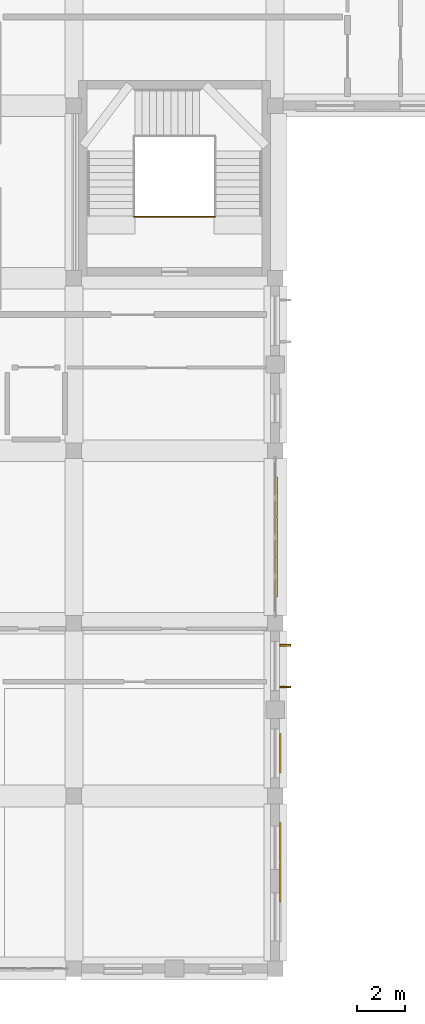
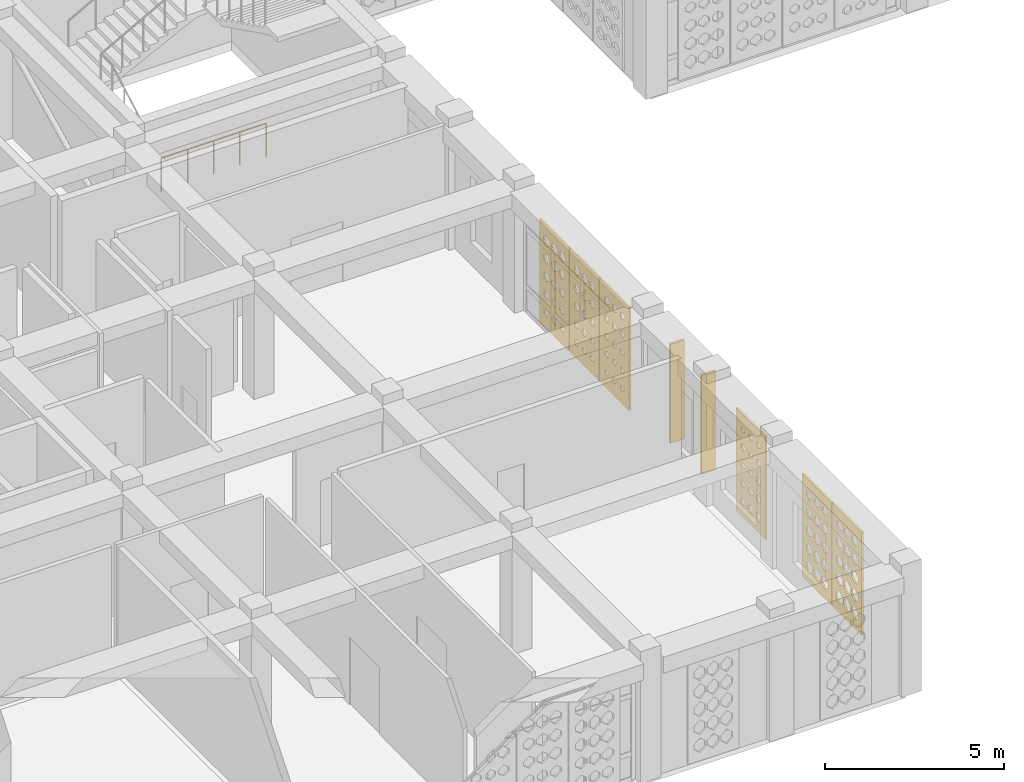
# One storey, part 57 of 79: 6 coverings, 2 shading devices, 1 railing.
"""IFC4 building model written with IfcOpenShell, lengths in metres."""

from ifc_helpers import new_model, si_unit, derived_unit, direction, frame, origin, origin_2d, place, context, subcontext, project, spatial, polyline, rectangle, circle, outline, extrude, material, layer, layer_set, type_object, element, save


model = new_model("IFC4")

# Units and contexts
model_context = context("Model", 3, precision=1e-05, world=origin(), true_north=direction((0.0, 1.0)))
body_context = subcontext(model_context, "Body", "Model", "MODEL_VIEW")
ifc_project = project(units=[si_unit("LENGTHUNIT", "METRE"), si_unit("AREAUNIT", "SQUARE_METRE"), si_unit("VOLUMEUNIT", "CUBIC_METRE"), si_unit("PLANEANGLEUNIT", "RADIAN"), si_unit("MASSUNIT", "GRAM", prefix="KILO"), derived_unit("THERMALTRANSMITTANCEUNIT", [(si_unit("POWERUNIT", "WATT"), 1), (si_unit("LENGTHUNIT", "METRE"), -2), (si_unit("THERMODYNAMICTEMPERATUREUNIT", "KELVIN"), -1)])], contexts=[model_context])

# Site, building, storey
site_placement = place(None, origin())
site = spatial("IfcSite", under=ifc_project, at=site_placement, CompositionType="ELEMENT")
building_placement = place(site_placement, origin())
building = spatial("IfcBuilding", under=site, at=building_placement, Name="Veybourne Emporium", CompositionType="ELEMENT")
storey_placement = place(building_placement, frame((0.0, 0.0, 18.89990234375)))
storey = spatial("IfcBuildingStorey", under=building, at=storey_placement, Name="L04", CompositionType="ELEMENT", Elevation=18.89990234375)

# Railing
ifc_material_1 = material(Name="Brushed Stainless Steel", Category="steel")
railing_type = type_object("IfcRailingType", Name="Guard_GR-01", PredefinedType="GUARDRAIL", material=ifc_material_1)
railing_placement = place(storey_placement, frame((44.510009765625, 31.360107421875, 0.0)))
element("IfcRailing", 1, at=railing_placement, inside=storey, type_object=railing_type, Name="L04 ST-05 stair guard 4", PredefinedType="GUARDRAIL", context=body_context, shape_type="SweptSolid", body=[
    extrude(circle(Radius=0.02392578125, at=origin_2d()), frame((0.0, 0.0, 1.1259765625), z_axis=(1.0, 0.0, 0.0), x_axis=(0.0, 1.0, 0.0)), (0.0, 0.0, 1.0), 3.3798828125),
    extrude(circle(Radius=0.02099609375, at=origin_2d()), origin(), (0.0, 0.0, 1.0), 1.101806640625),
    extrude(circle(Radius=0.02099609375, at=origin_2d()), frame((0.844970703125, 0.0, 0.0)), (0.0, 0.0, 1.0), 1.101806640625),
    extrude(circle(Radius=0.02099609375, at=origin_2d()), frame((1.68994140625, 0.0, 0.0)), (0.0, 0.0, 1.0), 1.101806640625),
    extrude(circle(Radius=0.02099609375, at=origin_2d()), frame((2.534912109375, 0.0, 0.0)), (0.0, 0.0, 1.0), 1.101806640625),
    extrude(circle(Radius=0.02099609375, at=origin_2d()), frame((3.3798828125, 0.0, 0.0)), (0.0, 0.0, 1.0), 1.101806640625),
])

# Shading devices
ifc_material_2 = material(Name="Patinated Architectural Bronze", Category="bronze")
shading_device_type = type_object("IfcShadingDeviceType", Name="SolarFin_FIN-02", PredefinedType="USERDEFINED", material=ifc_material_2)
for number, where, z_axis, x_axis, name in (
    (2, (50.81396484375, 13.493896484375, 0.125244140625), (0.0, 0.0, 1.0), (0.0, -1.0, 0.0), "L04 bronze brise-soleil fin FIN-02 (26A.1)"),
    (3, (50.81396484375, 11.7509765625, 0.125244140625), (0.0, 0.0, 1.0), (0.0, -1.0, 0.0), "L04 bronze brise-soleil fin FIN-02 (26A.2)"),
):
    element("IfcShadingDevice", number, at=place(storey_placement, frame(where, z_axis=z_axis, x_axis=x_axis)), inside=storey, type_object=shading_device_type, Name=name, ObjectType="FIN", PredefinedType="USERDEFINED", context=body_context, shape_type="SweptSolid", body=[
        extrude(rectangle(XDim=0.074951171875, YDim=0.449951171875, at=origin_2d()), origin(), (0.0, 0.0, 1.0), 3.3798828125),
    ])

# Coverings
ifc_material_3 = material(Name="Warm-White Perforated Aluminium Screen Alloy", Category="aluminium")
ifc_layer_1 = layer(ifc_material_3, 0.06005859375)
ifc_layer_set_1 = layer_set([ifc_layer_1], Name="Warm-White Perforated Aluminium Screen Alloy")
covering_type_1 = type_object("IfcCoveringType", Name="WaveScreen_SCR-01", PredefinedType="CLADDING", material=ifc_layer_set_1)
covering_1_placement = place(storey_placement, frame((50.494140625, 19.679931640625, 1.815185546875), z_axis=(-1.0, 0.0, 0.0), x_axis=(0.0, -1.0, 0.0)))
element("IfcCovering", 4, at=covering_1_placement, inside=storey, type_object=covering_type_1, Name="L04 wave-perforated aluminium screen SCR-01 (27C.1)", PredefinedType="CLADDING", context=body_context, shape_type="SweptSolid", body=[
    extrude(outline(polyline([(-0.81982421875, -1.7548828125), (0.81982421875, -1.7548828125), (0.81982421875, 1.7548828125), (-0.81982421875, 1.7548828125), (-0.81982421875, -1.7548828125)]), holes=[polyline([(-0.433349609375, -1.087890625), (-0.308837890625, -1.177490234375), (-0.308837890625, -1.2783203125), (-0.433349609375, -1.367919921875), (-0.557861328125, -1.2783203125), (-0.557861328125, -1.177490234375), (-0.433349609375, -1.087890625)]), polyline([(-0.433349609375, -0.46240234375), (-0.29931640625, -0.559326171875), (-0.29931640625, -0.668701171875), (-0.433349609375, -0.765625), (-0.5673828125, -0.668701171875), (-0.5673828125, -0.559326171875), (-0.433349609375, -0.46240234375)]), polyline([(-0.433349609375, 0.16455078125), (-0.288818359375, 0.05908203125), (-0.288818359375, -0.05908203125), (-0.433349609375, -0.16455078125), (-0.577880859375, -0.05908203125), (-0.577880859375, 0.05908203125), (-0.433349609375, 0.16455078125)]), polyline([(-0.433349609375, 0.792236328125), (-0.277587890625, 0.67822265625), (-0.277587890625, 0.5498046875), (-0.433349609375, 0.435791015625), (-0.589111328125, 0.5498046875), (-0.589111328125, 0.67822265625), (-0.433349609375, 0.792236328125)]), polyline([(-0.433349609375, 1.42041015625), (-0.265869140625, 1.29736328125), (-0.265869140625, 1.15869140625), (-0.433349609375, 1.03564453125), (-0.6005859375, 1.15869140625), (-0.6005859375, 1.29736328125), (-0.433349609375, 1.42041015625)]), polyline([(0.0, -1.0927734375), (0.12060546875, -1.17919921875), (0.12060546875, -1.276611328125), (0.0, -1.36328125), (-0.12060546875, -1.276611328125), (-0.12060546875, -1.17919921875), (0.0, -1.0927734375)]), polyline([(0.0, -0.4677734375), (0.129638671875, -0.561279296875), (0.129638671875, -0.66650390625), (0.0, -0.76025390625), (-0.129638671875, -0.66650390625), (-0.129638671875, -0.561279296875), (0.0, -0.4677734375)]), polyline([(0.0, 0.15869140625), (0.139892578125, 0.05712890625), (0.139892578125, -0.05712890625), (0.0, -0.15869140625), (-0.139892578125, -0.05712890625), (-0.139892578125, 0.05712890625), (0.0, 0.15869140625)]), polyline([(0.0, 0.785888671875), (0.150634765625, 0.67578125), (0.150634765625, 0.552001953125), (0.0, 0.44189453125), (-0.150634765625, 0.552001953125), (-0.150634765625, 0.67578125), (0.0, 0.785888671875)]), polyline([(0.0, 1.413818359375), (0.162109375, 1.294921875), (0.162109375, 1.1611328125), (0.0, 1.0419921875), (-0.162109375, 1.1611328125), (-0.162109375, 1.294921875), (0.0, 1.413818359375)]), polyline([(0.433349609375, -1.09716796875), (0.55029296875, -1.180908203125), (0.55029296875, -1.275146484375), (0.433349609375, -1.35888671875), (0.31640625, -1.275146484375), (0.31640625, -1.180908203125), (0.433349609375, -1.09716796875)]), polyline([(0.433349609375, -0.472900390625), (0.55859375, -0.563232421875), (0.55859375, -0.664794921875), (0.433349609375, -0.755126953125), (0.307861328125, -0.664794921875), (0.307861328125, -0.563232421875), (0.433349609375, -0.472900390625)]), polyline([(0.433349609375, 0.15283203125), (0.568359375, 0.054931640625), (0.568359375, -0.054931640625), (0.433349609375, -0.15283203125), (0.29833984375, -0.054931640625), (0.29833984375, 0.054931640625), (0.433349609375, 0.15283203125)]), polyline([(0.433349609375, 0.77978515625), (0.5791015625, 0.673583984375), (0.5791015625, 0.55419921875), (0.433349609375, 0.4482421875), (0.28759765625, 0.55419921875), (0.28759765625, 0.673583984375), (0.433349609375, 0.77978515625)]), polyline([(0.433349609375, 1.40771484375), (0.590087890625, 1.29248046875), (0.590087890625, 1.163330078125), (0.433349609375, 1.04833984375), (0.2763671875, 1.163330078125), (0.2763671875, 1.29248046875), (0.433349609375, 1.40771484375)])]), origin(), (0.0, 0.0, 1.0), 0.06005859375),
])
ifc_layer_2 = layer(ifc_material_3, 0.06005859375)
ifc_layer_set_2 = layer_set([ifc_layer_2], Name="Warm-White Perforated Aluminium Screen Alloy")
covering_type_2 = type_object("IfcCoveringType", Name="WaveScreen_SCR-02", PredefinedType="CLADDING", material=ifc_layer_set_2)
covering_2_placement = place(storey_placement, frame((50.494140625, 18.0, 1.815185546875), z_axis=(-1.0, 0.0, 0.0), x_axis=(0.0, -1.0, 0.0)))
element("IfcCovering", 5, at=covering_2_placement, inside=storey, type_object=covering_type_2, Name="L04 wave-perforated aluminium screen SCR-02 (27C.2)", PredefinedType="CLADDING", context=body_context, shape_type="SweptSolid", body=[
    extrude(outline(polyline([(-0.81982421875, -1.7548828125), (0.81982421875, -1.7548828125), (0.81982421875, 1.7548828125), (-0.81982421875, 1.7548828125), (-0.81982421875, -1.7548828125)]), holes=[polyline([(-0.433349609375, -1.1044921875), (-0.322265625, -1.18359375), (-0.322265625, -1.2724609375), (-0.433349609375, -1.3515625), (-0.544189453125, -1.2724609375), (-0.544189453125, -1.18359375), (-0.433349609375, -1.1044921875)]), polyline([(-0.433349609375, -0.481689453125), (-0.315185546875, -0.56640625), (-0.315185546875, -0.66162109375), (-0.433349609375, -0.74609375), (-0.551513671875, -0.66162109375), (-0.551513671875, -0.56640625), (-0.433349609375, -0.481689453125)]), polyline([(-0.433349609375, 0.142578125), (-0.306640625, 0.051513671875), (-0.306640625, -0.051513671875), (-0.433349609375, -0.142578125), (-0.56005859375, -0.051513671875), (-0.56005859375, 0.051513671875), (-0.433349609375, 0.142578125)]), polyline([(-0.433349609375, 0.768798828125), (-0.296875, 0.669677734375), (-0.296875, 0.558349609375), (-0.433349609375, 0.459228515625), (-0.56982421875, 0.558349609375), (-0.56982421875, 0.669677734375), (-0.433349609375, 0.768798828125)]), polyline([(-0.433349609375, 1.395751953125), (-0.285888671875, 1.288330078125), (-0.285888671875, 1.16748046875), (-0.433349609375, 1.060302734375), (-0.58056640625, 1.16748046875), (-0.58056640625, 1.288330078125), (-0.433349609375, 1.395751953125)]), polyline([(0.0, -1.10791015625), (0.1083984375, -1.184814453125), (0.1083984375, -1.271240234375), (0.0, -1.34814453125), (-0.1083984375, -1.271240234375), (-0.1083984375, -1.184814453125), (0.0, -1.10791015625)]), polyline([(0.0, -0.486083984375), (0.11474609375, -0.56787109375), (0.11474609375, -0.66015625), (0.0, -0.741943359375), (-0.11474609375, -0.66015625), (-0.11474609375, -0.56787109375), (0.0, -0.486083984375)]), polyline([(0.0, 0.1376953125), (0.122802734375, 0.049560546875), (0.122802734375, -0.049560546875), (0.0, -0.1376953125), (-0.122802734375, -0.049560546875), (-0.122802734375, 0.049560546875), (0.0, 0.1376953125)]), polyline([(0.0, 0.76318359375), (0.132080078125, 0.667724609375), (0.132080078125, 0.560302734375), (0.0, 0.46484375), (-0.132080078125, 0.560302734375), (-0.132080078125, 0.667724609375), (0.0, 0.76318359375)]), polyline([(0.0, 1.3896484375), (0.142333984375, 1.2861328125), (0.142333984375, 1.169921875), (0.0, 1.06640625), (-0.142333984375, 1.169921875), (-0.142333984375, 1.2861328125), (0.0, 1.3896484375)]), polyline([(0.433349609375, -1.110595703125), (0.539306640625, -1.185791015625), (0.539306640625, -1.270263671875), (0.433349609375, -1.34521484375), (0.327392578125, -1.270263671875), (0.327392578125, -1.185791015625), (0.433349609375, -1.110595703125)]), polyline([(0.433349609375, -0.48974609375), (0.544921875, -0.5693359375), (0.544921875, -0.65869140625), (0.433349609375, -0.73828125), (0.32177734375, -0.65869140625), (0.32177734375, -0.5693359375), (0.433349609375, -0.48974609375)]), polyline([(0.433349609375, 0.133056640625), (0.55224609375, 0.0478515625), (0.55224609375, -0.0478515625), (0.433349609375, -0.133056640625), (0.314453125, -0.0478515625), (0.314453125, 0.0478515625), (0.433349609375, 0.133056640625)]), polyline([(0.433349609375, 0.7578125), (0.56103515625, 0.665771484375), (0.56103515625, 0.562255859375), (0.433349609375, 0.47021484375), (0.3056640625, 0.562255859375), (0.3056640625, 0.665771484375), (0.433349609375, 0.7578125)]), polyline([(0.433349609375, 1.3837890625), (0.57080078125, 1.2841796875), (0.57080078125, 1.171875), (0.433349609375, 1.072021484375), (0.2958984375, 1.171875), (0.2958984375, 1.2841796875), (0.433349609375, 1.3837890625)])]), origin(), (0.0, 0.0, 1.0), 0.06005859375),
])
ifc_layer_3 = layer(ifc_material_3, 0.06005859375)
ifc_layer_set_3 = layer_set([ifc_layer_3], Name="Warm-White Perforated Aluminium Screen Alloy")
covering_type_3 = type_object("IfcCoveringType", Name="WaveScreen_SCR-03", PredefinedType="CLADDING", material=ifc_layer_set_3)
covering_3_placement = place(storey_placement, frame((50.64794921875, 5.280029296875, 1.815185546875), z_axis=(-1.0, 0.0, 0.0), x_axis=(0.0, -1.0, 0.0)))
element("IfcCovering", 6, at=covering_3_placement, inside=storey, type_object=covering_type_3, Name="L04 wave-perforated aluminium screen SCR-03 (25.1)", PredefinedType="CLADDING", context=body_context, shape_type="SweptSolid", body=[
    extrude(outline(polyline([(-0.81982421875, -1.7548828125), (0.81982421875, -1.7548828125), (0.81982421875, 1.7548828125), (-0.81982421875, 1.7548828125), (-0.81982421875, -1.7548828125)]), holes=[polyline([(-0.433349609375, -1.0263671875), (-0.25830078125, -1.155517578125), (-0.25830078125, -1.300537109375), (-0.433349609375, -1.4296875), (-0.6083984375, -1.300537109375), (-0.6083984375, -1.155517578125), (-0.433349609375, -1.0263671875)]), polyline([(-0.433349609375, -0.426513671875), (-0.27001953125, -0.54638671875), (-0.27001953125, -0.681396484375), (-0.433349609375, -0.801513671875), (-0.5966796875, -0.681396484375), (-0.5966796875, -0.54638671875), (-0.433349609375, -0.426513671875)]), polyline([(-0.433349609375, 0.173583984375), (-0.28125, 0.0625), (-0.28125, -0.0625), (-0.433349609375, -0.173583984375), (-0.585205078125, -0.0625), (-0.585205078125, 0.0625), (-0.433349609375, 0.173583984375)]), polyline([(-0.433349609375, 0.774169921875), (-0.29248046875, 0.671630859375), (-0.29248046875, 0.556396484375), (-0.433349609375, 0.453857421875), (-0.57421875, 0.556396484375), (-0.57421875, 0.671630859375), (-0.433349609375, 0.774169921875)]), polyline([(-0.433349609375, 1.37548828125), (-0.302490234375, 1.281005859375), (-0.302490234375, 1.1748046875), (-0.433349609375, 1.080322265625), (-0.564208984375, 1.1748046875), (-0.564208984375, 1.281005859375), (-0.433349609375, 1.37548828125)]), polyline([(0.0, -1.02001953125), (0.18017578125, -1.153076171875), (0.18017578125, -1.302978515625), (0.0, -1.43603515625), (-0.18017578125, -1.302978515625), (-0.18017578125, -1.153076171875), (0.0, -1.02001953125)]), polyline([(0.0, -0.419921875), (0.168701171875, -0.544189453125), (0.168701171875, -0.683837890625), (0.0, -0.80810546875), (-0.168701171875, -0.683837890625), (-0.168701171875, -0.544189453125), (0.0, -0.419921875)]), polyline([(0.0, 0.179931640625), (0.1572265625, 0.064697265625), (0.1572265625, -0.064697265625), (0.0, -0.179931640625), (-0.1572265625, -0.064697265625), (-0.1572265625, 0.064697265625), (0.0, 0.179931640625)]), polyline([(0.0, 0.780029296875), (0.14599609375, 0.673828125), (0.14599609375, 0.55419921875), (0.0, 0.447998046875), (-0.14599609375, 0.55419921875), (-0.14599609375, 0.673828125), (0.0, 0.780029296875)]), polyline([(0.0, 1.381103515625), (0.13525390625, 1.283203125), (0.13525390625, 1.1728515625), (0.0, 1.074951171875), (-0.13525390625, 1.1728515625), (-0.13525390625, 1.283203125), (0.0, 1.381103515625)]), polyline([(0.433349609375, -1.013671875), (0.61865234375, -1.15087890625), (0.61865234375, -1.30517578125), (0.433349609375, -1.4423828125), (0.248046875, -1.30517578125), (0.248046875, -1.15087890625), (0.433349609375, -1.013671875)]), polyline([(0.433349609375, -0.41357421875), (0.607421875, -0.5419921875), (0.607421875, -0.68603515625), (0.433349609375, -0.814453125), (0.259521484375, -0.68603515625), (0.259521484375, -0.5419921875), (0.433349609375, -0.41357421875)]), polyline([(0.433349609375, 0.186279296875), (0.595703125, 0.06689453125), (0.595703125, -0.06689453125), (0.433349609375, -0.186279296875), (0.27099609375, -0.06689453125), (0.27099609375, 0.06689453125), (0.433349609375, 0.186279296875)]), polyline([(0.433349609375, 0.786376953125), (0.584228515625, 0.676025390625), (0.584228515625, 0.552001953125), (0.433349609375, 0.441650390625), (0.282470703125, 0.552001953125), (0.282470703125, 0.676025390625), (0.433349609375, 0.786376953125)]), polyline([(0.433349609375, 1.386962890625), (0.5732421875, 1.28515625), (0.5732421875, 1.1708984375), (0.433349609375, 1.069091796875), (0.293212890625, 1.1708984375), (0.293212890625, 1.28515625), (0.433349609375, 1.386962890625)])]), origin(), (0.0, 0.0, 1.0), 0.06005859375),
])
covering_4_placement = place(storey_placement, frame((50.494140625, 16.320068359375, 1.815185546875), z_axis=(-1.0, 0.0, 0.0), x_axis=(0.0, -1.0, 0.0)))
element("IfcCovering", 7, at=covering_4_placement, inside=storey, type_object=covering_type_3, Name="L04 wave-perforated aluminium screen SCR-03 (27C.3)", PredefinedType="CLADDING", context=body_context, shape_type="SweptSolid", body=[
    extrude(outline(polyline([(-0.81982421875, -1.7548828125), (0.81982421875, -1.7548828125), (0.81982421875, 1.7548828125), (-0.81982421875, 1.7548828125), (-0.81982421875, -1.7548828125)]), holes=[polyline([(-0.433349609375, -1.114990234375), (-0.330810546875, -1.187255859375), (-0.330810546875, -1.268798828125), (-0.433349609375, -1.341064453125), (-0.535888671875, -1.268798828125), (-0.535888671875, -1.187255859375), (-0.433349609375, -1.114990234375)]), polyline([(-0.433349609375, -0.495849609375), (-0.32666015625, -0.571533203125), (-0.32666015625, -0.656494140625), (-0.433349609375, -0.732177734375), (-0.5400390625, -0.656494140625), (-0.5400390625, -0.571533203125), (-0.433349609375, -0.495849609375)]), polyline([(-0.433349609375, 0.12548828125), (-0.32080078125, 0.045166015625), (-0.32080078125, -0.045166015625), (-0.433349609375, -0.12548828125), (-0.5458984375, -0.045166015625), (-0.5458984375, 0.045166015625), (-0.433349609375, 0.12548828125)]), polyline([(-0.433349609375, 0.74853515625), (-0.313232421875, 0.662353515625), (-0.313232421875, 0.565673828125), (-0.433349609375, 0.4794921875), (-0.553466796875, 0.565673828125), (-0.553466796875, 0.662353515625), (-0.433349609375, 0.74853515625)]), polyline([(-0.433349609375, 1.37353515625), (-0.30419921875, 1.280517578125), (-0.30419921875, 1.175537109375), (-0.433349609375, 1.08251953125), (-0.5625, 1.175537109375), (-0.5625, 1.280517578125), (-0.433349609375, 1.37353515625)]), polyline([(0.0, -1.116455078125), (0.101318359375, -1.187744140625), (0.101318359375, -1.268310546875), (0.0, -1.339599609375), (-0.101318359375, -1.268310546875), (-0.101318359375, -1.187744140625), (0.0, -1.116455078125)]), polyline([(0.0, -0.498291015625), (0.1044921875, -0.572509765625), (0.1044921875, -0.655517578125), (0.0, -0.7294921875), (-0.1044921875, -0.655517578125), (-0.1044921875, -0.572509765625), (0.0, -0.498291015625)]), polyline([(0.0, 0.121826171875), (0.109619140625, 0.0439453125), (0.109619140625, -0.0439453125), (0.0, -0.121826171875), (-0.109619140625, -0.0439453125), (-0.109619140625, 0.0439453125), (0.0, 0.121826171875)]), polyline([(0.0, 0.744140625), (0.116455078125, 0.660888671875), (0.116455078125, 0.567138671875), (0.0, 0.48388671875), (-0.116455078125, 0.567138671875), (-0.116455078125, 0.660888671875), (0.0, 0.744140625)]), polyline([(0.0, 1.368408203125), (0.124755859375, 1.278564453125), (0.124755859375, 1.177490234375), (0.0, 1.087646484375), (-0.124755859375, 1.177490234375), (-0.124755859375, 1.278564453125), (0.0, 1.368408203125)]), polyline([(0.433349609375, -1.117431640625), (0.53369140625, -1.188232421875), (0.53369140625, -1.267822265625), (0.433349609375, -1.338623046875), (0.332763671875, -1.267822265625), (0.332763671875, -1.188232421875), (0.433349609375, -1.117431640625)]), polyline([(0.433349609375, -0.50048828125), (0.5361328125, -0.572998046875), (0.5361328125, -0.65478515625), (0.433349609375, -0.7275390625), (0.33056640625, -0.65478515625), (0.33056640625, -0.572998046875), (0.433349609375, -0.50048828125)]), polyline([(0.433349609375, 0.11865234375), (0.54052734375, 0.042724609375), (0.54052734375, -0.042724609375), (0.433349609375, -0.11865234375), (0.326171875, -0.042724609375), (0.326171875, 0.042724609375), (0.433349609375, 0.11865234375)]), polyline([(0.433349609375, 0.740234375), (0.546630859375, 0.659423828125), (0.546630859375, 0.568603515625), (0.433349609375, 0.48779296875), (0.320068359375, 0.568603515625), (0.320068359375, 0.659423828125), (0.433349609375, 0.740234375)]), polyline([(0.433349609375, 1.363525390625), (0.55419921875, 1.27685546875), (0.55419921875, 1.17919921875), (0.433349609375, 1.092529296875), (0.3125, 1.17919921875), (0.3125, 1.27685546875), (0.433349609375, 1.363525390625)])]), origin(), (0.0, 0.0, 1.0), 0.06005859375),
])
ifc_layer_4 = layer(ifc_material_3, 0.06005859375)
ifc_layer_set_4 = layer_set([ifc_layer_4], Name="Warm-White Perforated Aluminium Screen Alloy")
covering_type_4 = type_object("IfcCoveringType", Name="WaveScreen_SCR-04", PredefinedType="CLADDING", material=ifc_layer_set_4)
covering_5_placement = place(storey_placement, frame((50.64794921875, 3.60009765625, 1.815185546875), z_axis=(-1.0, 0.0, 0.0), x_axis=(0.0, -1.0, 0.0)))
element("IfcCovering", 8, at=covering_5_placement, inside=storey, type_object=covering_type_4, Name="L04 wave-perforated aluminium screen SCR-04 (25.2)", PredefinedType="CLADDING", context=body_context, shape_type="SweptSolid", body=[
    extrude(outline(polyline([(-0.81982421875, -1.7548828125), (0.81982421875, -1.7548828125), (0.81982421875, 1.7548828125), (-0.81982421875, 1.7548828125), (-0.81982421875, -1.7548828125)]), holes=[polyline([(-0.433349609375, -1.002197265625), (-0.2470703125, -1.146728515625), (-0.2470703125, -1.309326171875), (-0.433349609375, -1.45361328125), (-0.61962890625, -1.309326171875), (-0.61962890625, -1.146728515625), (-0.433349609375, -1.002197265625)]), polyline([(-0.433349609375, -0.401611328125), (-0.24951171875, -0.53759765625), (-0.24951171875, -0.6904296875), (-0.433349609375, -0.826416015625), (-0.616943359375, -0.6904296875), (-0.616943359375, -0.53759765625), (-0.433349609375, -0.401611328125)]), polyline([(-0.433349609375, 0.1982421875), (-0.260986328125, 0.0712890625), (-0.260986328125, -0.0712890625), (-0.433349609375, -0.1982421875), (-0.605712890625, -0.0712890625), (-0.605712890625, 0.0712890625), (-0.433349609375, 0.1982421875)]), polyline([(-0.433349609375, 0.798095703125), (-0.272705078125, 0.680419921875), (-0.272705078125, 0.547607421875), (-0.433349609375, 0.429931640625), (-0.593994140625, 0.547607421875), (-0.593994140625, 0.680419921875), (-0.433349609375, 0.798095703125)]), polyline([(-0.433349609375, 1.398193359375), (-0.2841796875, 1.289306640625), (-0.2841796875, 1.166748046875), (-0.433349609375, 1.057861328125), (-0.58251953125, 1.166748046875), (-0.58251953125, 1.289306640625), (-0.433349609375, 1.398193359375)]), polyline([(0.0, -0.99658203125), (0.186279296875, -1.144775390625), (0.186279296875, -1.311279296875), (0.0, -1.45947265625), (-0.186279296875, -1.311279296875), (-0.186279296875, -1.144775390625), (0.0, -0.99658203125)]), polyline([(0.0, -0.3955078125), (0.186279296875, -0.535400390625), (0.186279296875, -0.692626953125), (0.0, -0.83251953125), (-0.186279296875, -0.692626953125), (-0.186279296875, -0.535400390625), (0.0, -0.3955078125)]), polyline([(0.0, 0.20458984375), (0.177490234375, 0.07373046875), (0.177490234375, -0.07373046875), (0.0, -0.20458984375), (-0.177490234375, -0.07373046875), (-0.177490234375, 0.07373046875), (0.0, 0.20458984375)]), polyline([(0.0, 0.8046875), (0.166015625, 0.6826171875), (0.166015625, 0.54541015625), (0.0, 0.42333984375), (-0.166015625, 0.54541015625), (-0.166015625, 0.6826171875), (0.0, 0.8046875)]), polyline([(0.0, 1.404541015625), (0.154296875, 1.29150390625), (0.154296875, 1.16455078125), (0.0, 1.051513671875), (-0.154296875, 1.16455078125), (-0.154296875, 1.29150390625), (0.0, 1.404541015625)]), polyline([(0.433349609375, -0.990966796875), (0.61962890625, -1.142578125), (0.61962890625, -1.313232421875), (0.433349609375, -1.465087890625), (0.2470703125, -1.313232421875), (0.2470703125, -1.142578125), (0.433349609375, -0.990966796875)]), polyline([(0.433349609375, -0.389404296875), (0.61962890625, -0.533203125), (0.61962890625, -0.69482421875), (0.433349609375, -0.83837890625), (0.2470703125, -0.69482421875), (0.2470703125, -0.533203125), (0.433349609375, -0.389404296875)]), polyline([(0.433349609375, 0.2109375), (0.615966796875, 0.075927734375), (0.615966796875, -0.075927734375), (0.433349609375, -0.2109375), (0.250732421875, -0.075927734375), (0.250732421875, 0.075927734375), (0.433349609375, 0.2109375)]), polyline([(0.433349609375, 0.81103515625), (0.6044921875, 0.684814453125), (0.6044921875, 0.543212890625), (0.433349609375, 0.4169921875), (0.26220703125, 0.543212890625), (0.26220703125, 0.684814453125), (0.433349609375, 0.81103515625)]), polyline([(0.433349609375, 1.410888671875), (0.593017578125, 1.293701171875), (0.593017578125, 1.162109375), (0.433349609375, 1.045166015625), (0.273681640625, 1.162109375), (0.273681640625, 1.293701171875), (0.433349609375, 1.410888671875)])]), origin(), (0.0, 0.0, 1.0), 0.06005859375),
])
covering_6_placement = place(storey_placement, frame((50.64794921875, 8.9775390625, 1.815185546875), z_axis=(-1.0, 0.0, 0.0), x_axis=(0.0, -1.0, 0.0)))
element("IfcCovering", 9, at=covering_6_placement, inside=storey, type_object=covering_type_4, Name="L04 wave-perforated aluminium screen SCR-04 (26B.1)", PredefinedType="CLADDING", context=body_context, shape_type="SweptSolid", body=[
    extrude(outline(polyline([(-0.81982421875, -1.7548828125), (0.81982421875, -1.7548828125), (0.81982421875, 1.7548828125), (-0.81982421875, 1.7548828125), (-0.81982421875, -1.7548828125)]), holes=[polyline([(-0.433349609375, -1.078857421875), (-0.30126953125, -1.17431640625), (-0.30126953125, -1.28173828125), (-0.433349609375, -1.377197265625), (-0.565185546875, -1.28173828125), (-0.565185546875, -1.17431640625), (-0.433349609375, -1.078857421875)]), polyline([(-0.433349609375, -0.476318359375), (-0.310546875, -0.564453125), (-0.310546875, -0.66357421875), (-0.433349609375, -0.751708984375), (-0.555908203125, -0.66357421875), (-0.555908203125, -0.564453125), (-0.433349609375, -0.476318359375)]), polyline([(-0.433349609375, 0.1279296875), (-0.318603515625, 0.046142578125), (-0.318603515625, -0.046142578125), (-0.433349609375, -0.1279296875), (-0.548095703125, -0.046142578125), (-0.548095703125, 0.046142578125), (-0.433349609375, 0.1279296875)]), polyline([(-0.433349609375, 0.734130859375), (-0.324951171875, 0.6572265625), (-0.324951171875, 0.57080078125), (-0.433349609375, 0.493896484375), (-0.54150390625, 0.57080078125), (-0.54150390625, 0.6572265625), (-0.433349609375, 0.734130859375)]), polyline([(-0.433349609375, 1.34228515625), (-0.32958984375, 1.269287109375), (-0.32958984375, 1.186767578125), (-0.433349609375, 1.113525390625), (-0.537109375, 1.186767578125), (-0.537109375, 1.269287109375), (-0.433349609375, 1.34228515625)]), polyline([(0.0, -1.0732421875), (0.13671875, -1.17236328125), (0.13671875, -1.28369140625), (0.0, -1.3828125), (-0.13671875, -1.28369140625), (-0.13671875, -1.17236328125), (0.0, -1.0732421875)]), polyline([(0.0, -0.47119140625), (0.126708984375, -0.5625), (0.126708984375, -0.665283203125), (0.0, -0.756591796875), (-0.126708984375, -0.665283203125), (-0.126708984375, -0.5625), (0.0, -0.47119140625)]), polyline([(0.0, 0.132080078125), (0.1181640625, 0.047607421875), (0.1181640625, -0.047607421875), (0.0, -0.132080078125), (-0.1181640625, -0.047607421875), (-0.1181640625, 0.047607421875), (0.0, 0.132080078125)]), polyline([(0.0, 0.737548828125), (0.111083984375, 0.658447265625), (0.111083984375, 0.569580078125), (0.0, 0.490478515625), (-0.111083984375, 0.569580078125), (-0.111083984375, 0.658447265625), (0.0, 0.737548828125)]), polyline([(0.0, 1.3447265625), (0.10546875, 1.27001953125), (0.10546875, 1.18603515625), (0.0, 1.111083984375), (-0.10546875, 1.18603515625), (-0.10546875, 1.27001953125), (0.0, 1.3447265625)]), polyline([(0.433349609375, -1.0673828125), (0.57470703125, -1.170166015625), (0.57470703125, -1.285888671875), (0.433349609375, -1.388671875), (0.2919921875, -1.285888671875), (0.2919921875, -1.170166015625), (0.433349609375, -1.0673828125)]), polyline([(0.433349609375, -0.466064453125), (0.564453125, -0.560791015625), (0.564453125, -0.667236328125), (0.433349609375, -0.761962890625), (0.30224609375, -0.667236328125), (0.30224609375, -0.560791015625), (0.433349609375, -0.466064453125)]), polyline([(0.433349609375, 0.13671875), (0.55517578125, 0.04931640625), (0.55517578125, -0.04931640625), (0.433349609375, -0.13671875), (0.311279296875, -0.04931640625), (0.311279296875, 0.04931640625), (0.433349609375, 0.13671875)]), polyline([(0.433349609375, 0.7412109375), (0.54736328125, 0.659912109375), (0.54736328125, 0.568115234375), (0.433349609375, 0.48681640625), (0.3193359375, 0.568115234375), (0.3193359375, 0.659912109375), (0.433349609375, 0.7412109375)]), polyline([(0.433349609375, 1.347412109375), (0.541015625, 1.27099609375), (0.541015625, 1.18505859375), (0.433349609375, 1.1083984375), (0.325439453125, 1.18505859375), (0.325439453125, 1.27099609375), (0.433349609375, 1.347412109375)])]), origin(), (0.0, 0.0, 1.0), 0.06005859375),
])

save(model, "model.ifc")
